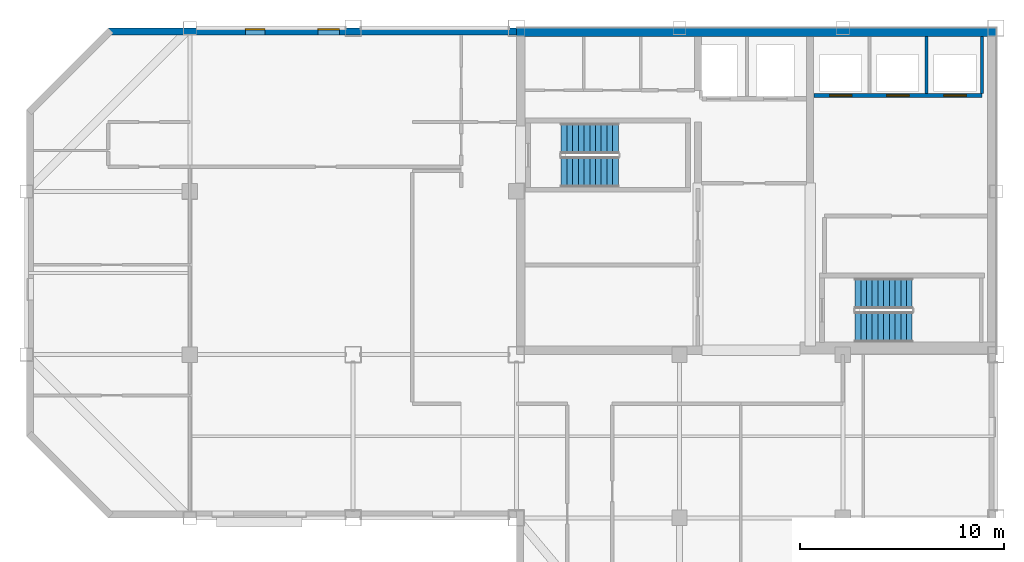
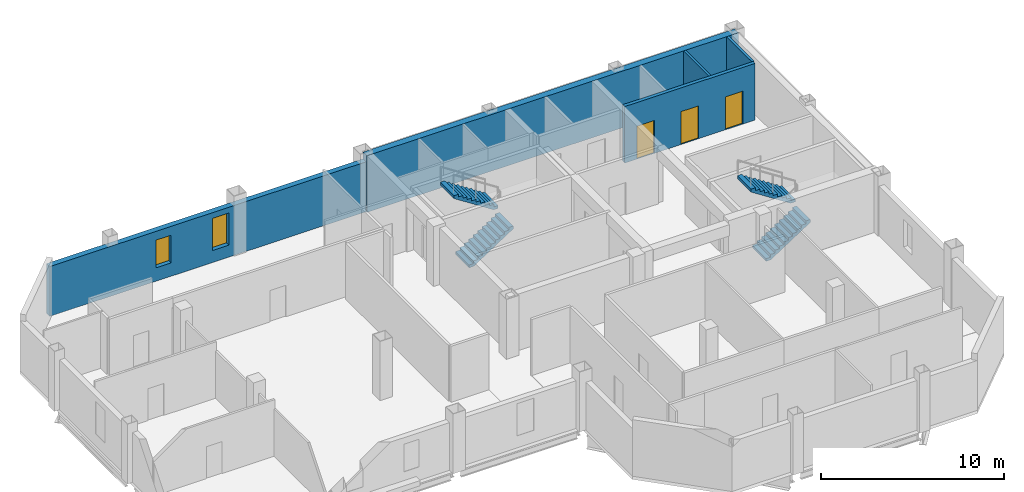
# One storey, part 4 of 7: 5 walls, 4 stair flights, 3 doors, 2 windows, 5 openings, 2 elements without a shape of their own.
"""IFC4 building model written with IfcOpenShell, lengths in metres."""

from ifc_helpers import new_model, si_unit, direction, frame, frame_2d, origin, place, context, subcontext, project, spatial, polyline, rectangle, outline, extrude, material, layer, layer_set, type_object, element, fill, aggregate, save


model = new_model("IFC4")

# Units and contexts
model_context = context("Model", 3, precision=1e-05, world=origin(), true_north=direction((0.0, 1.0)))
body_context = subcontext(model_context, "Body", "Model", "MODEL_VIEW")
ifc_project = project(units=[si_unit("LENGTHUNIT", "METRE"), si_unit("AREAUNIT", "SQUARE_METRE"), si_unit("VOLUMEUNIT", "CUBIC_METRE"), si_unit("PLANEANGLEUNIT", "RADIAN"), si_unit("MASSUNIT", "GRAM", prefix="KILO")], contexts=[model_context])

# Site, building, storey
site_placement = place(None, origin())
site = spatial("IfcSite", under=ifc_project, at=site_placement, CompositionType="ELEMENT")
building_placement = place(site_placement, origin())
building = spatial("IfcBuilding", under=site, at=building_placement, Name="Qianrong Seaharbour Tower", CompositionType="ELEMENT")
storey_placement = place(building_placement, frame((0.0, 0.0, 335.199951171875)))
storey = spatial("IfcBuildingStorey", under=building, at=storey_placement, Name="L81", CompositionType="ELEMENT", Elevation=335.199951171875)

# Wall
ifc_material_1 = material(Name="Concrete C50/60", Category="concrete")
ifc_layer_1 = layer(ifc_material_1, 0.419921875)
ifc_layer_set_1 = layer_set([ifc_layer_1], Name="Concrete C50/60")
wall_type_1 = type_object("IfcWallType", Name="WALL-CORE-420", PredefinedType="SHEAR", material=ifc_layer_set_1)
wall_1_placement = place(storey_placement, frame((40.5, 51.7900390625, 0.0), z_axis=(0.0, 0.0, 1.0), x_axis=(1.0, 0.0, 0.0)))
element("IfcWall", 1, at=wall_1_placement, inside=storey, type_object=wall_type_1, Name="L81 North Core Shear Wall", PredefinedType="SHEAR", context=body_context, shape_type="SweptSolid", body=[
    extrude(rectangle(XDim=23.5, YDim=0.419921875, at=frame_2d((11.75, 0.0))), origin(), (0.0, 0.0, 1.0), 3.78515625),
])

# Wall, openings, windows
ifc_material_2 = material(Name="Unitised buff brick on Precast concrete C45/55", Category="masonry")
ifc_layer_2 = layer(ifc_material_2, 0.340087890625)
ifc_layer_set_2 = layer_set([ifc_layer_2], Name="Unitised buff brick on Precast concrete C45/55")
wall_type_2 = type_object("IfcWallType", Name="WALL-EXT-BRICK-BUFF-340", PredefinedType="SOLIDWALL", material=ifc_layer_set_2)
wall_2_placement = place(storey_placement, frame((20.5, 51.830078125, 0.0), z_axis=(0.0, 0.0, 1.0), x_axis=(1.0, 0.0, 0.0)))
wall_2 = element("IfcWall", 2, at=wall_2_placement, inside=storey, type_object=wall_type_2, Name="L81 Exterior Masonry Facade Wall NORTH_WING", PredefinedType="SOLIDWALL", context=body_context, shape_type="SweptSolid", body=[
    extrude(rectangle(XDim=20.02001953125, YDim=0.340087890625, at=frame_2d((10.010009765625, 0.0))), origin(), (0.0, 0.0, 1.0), 3.3349609375),
])
opening_1_placement = place(wall_2_placement, frame((6.72509765625, 0.0, 0.89990234375)))
opening_1 = element("IfcOpeningElement", 3, at=opening_1_placement, cuts=wall_2, Name="Opening WN-13", PredefinedType="OPENING", context=body_context, shape_type="SweptSolid", body=[
    extrude(rectangle(XDim=0.949951171875, YDim=1.85009765625, at=frame_2d((0.47509765625, 0.925048828125))), frame((0.0, 0.18017578125, 0.0), z_axis=(0.0, -1.0, 0.0), x_axis=(1.0, 0.0, 0.0)), (0.0, 0.0, 1.0), 0.360107421875),
])
opening_2_placement = place(wall_2_placement, frame((10.27490234375, 0.0, 0.800048828125)))
opening_2 = element("IfcOpeningElement", 4, at=opening_2_placement, cuts=wall_2, Name="Opening WN-14", PredefinedType="OPENING", context=body_context, shape_type="SweptSolid", body=[
    extrude(rectangle(XDim=1.050048828125, YDim=2.14990234375, at=frame_2d((0.52490234375, 1.074951171875))), frame((0.0, 0.18017578125, 0.0), z_axis=(0.0, -1.0, 0.0), x_axis=(1.0, 0.0, 0.0)), (0.0, 0.0, 1.0), 0.360107421875),
])
ifc_material_3 = material(Name="Insulated low-e double glazing in thermally broken aluminium 6063-T6 frame", Category="aluminium")
window_type_1 = type_object("IfcWindowType", Name="WIN-NARROW-1050x2150", PartitioningType="SINGLE_PANEL", PredefinedType="WINDOW", material=ifc_material_3)
window_1_placement = place(opening_2_placement, origin())
window_1 = element("IfcWindow", 5, at=window_1_placement, inside=storey, type_object=window_type_1, Name="L81 Deep-Set Punched Window 05.03", OverallHeight=2.14990234375, OverallWidth=1.050048828125, PartitioningType="SINGLE_PANEL", PredefinedType="WINDOW", context=body_context, shape_type="SweptSolid", body=[
    extrude(rectangle(XDim=1.050048828125, YDim=2.14990234375, at=frame_2d((0.52490234375, 1.074951171875))), frame((0.0, 0.150146484375, 0.0), z_axis=(0.0, -1.0, 0.0), x_axis=(1.0, 0.0, 0.0)), (0.0, 0.0, 1.0), 0.06005859375),
])
fill(opening_2, window_1)
window_type_2 = type_object("IfcWindowType", Name="WIN-NARROW-950x1850", PartitioningType="SINGLE_PANEL", PredefinedType="WINDOW", material=ifc_material_3)
window_2_placement = place(opening_1_placement, origin())
window_2 = element("IfcWindow", 6, at=window_2_placement, inside=storey, type_object=window_type_2, Name="L81 Deep-Set Punched Window 05.02", OverallHeight=1.85009765625, OverallWidth=0.949951171875, PartitioningType="SINGLE_PANEL", PredefinedType="WINDOW", context=body_context, shape_type="SweptSolid", body=[
    extrude(rectangle(XDim=0.949951171875, YDim=1.85009765625, at=frame_2d((0.47509765625, 0.925048828125))), frame((0.0, 0.150146484375, 0.0), z_axis=(0.0, -1.0, 0.0), x_axis=(1.0, 0.0, 0.0)), (0.0, 0.0, 1.0), 0.06005859375),
])
fill(opening_1, window_2)

# Walls
ifc_material_4 = material(Name="Fire-rated gypsum board on steel studs", Category="steel")
ifc_layer_3 = layer(ifc_material_4, 0.14990234375)
ifc_layer_set_3 = layer_set([ifc_layer_3], Name="Fire-rated gypsum board on steel studs")
wall_type_3 = type_object("IfcWallType", Name="WALL-SHAFT-DIV-150", PredefinedType="PARTITIONING", material=ifc_layer_set_3)
for number, where, z_axis, x_axis, name in (
    (7, (60.60009765625, 48.81005859375, 0.0), (0.0, 0.0, 1.0), (0.0, 1.0, 0.0), "L81 P4 Lift Hoistway Divider 3"),
    (8, (63.320068359375, 48.81005859375, 0.0), (0.0, 0.0, 1.0), (0.0, 1.0, 0.0), "L81 P4 Lift Hoistway Divider 4"),
):
    element("IfcWall", number, at=place(storey_placement, frame(where, z_axis=z_axis, x_axis=x_axis)), inside=storey, type_object=wall_type_3, Name=name, PredefinedType="PARTITIONING", context=body_context, shape_type="SweptSolid", body=[
        extrude(rectangle(XDim=2.77001953125, YDim=0.14990234375, at=frame_2d((1.385009765625, 0.0))), origin(), (0.0, 0.0, 1.0), 3.78515625),
    ])

# Wall, openings, doors
ifc_layer_4 = layer(ifc_material_4, 0.219970703125)
ifc_layer_set_4 = layer_set([ifc_layer_4], Name="Fire-rated gypsum board on steel studs")
wall_type_4 = type_object("IfcWallType", Name="WALL-SHAFT-GYP220", PredefinedType="PARTITIONING", material=ifc_layer_set_4)
wall_3_placement = place(storey_placement, frame((63.320068359375, 48.699951171875, 0.0), z_axis=(0.0, 0.0, 1.0), x_axis=(-1.0, 0.0, 0.0)))
wall_3 = element("IfcWall", 9, at=wall_3_placement, inside=storey, type_object=wall_type_4, Name="L81 P4 Lift Hoistway Front Wall", PredefinedType="PARTITIONING", context=body_context, shape_type="SweptSolid", body=[
    extrude(rectangle(XDim=8.239990234375, YDim=0.219970703125, at=frame_2d((4.1201171875, 0.0))), origin(), (0.0, 0.0, 1.0), 3.78515625),
])
opening_3_placement = place(wall_3_placement, frame((6.3701171875, 0.0, 0.0)))
opening_3 = element("IfcOpeningElement", 10, at=opening_3_placement, cuts=wall_3, Name="Opening LD-02", PredefinedType="OPENING", context=body_context, shape_type="SweptSolid", body=[
    extrude(rectangle(XDim=1.10009765625, YDim=2.199951171875, at=frame_2d((0.550048828125, 1.10009765625))), frame((0.0, 0.1201171875, 0.0), z_axis=(0.0, -1.0, 0.0), x_axis=(1.0, 0.0, 0.0)), (0.0, 0.0, 1.0), 0.239990234375),
])
opening_4_placement = place(wall_3_placement, frame((3.570068359375, 0.0, 0.0)))
opening_4 = element("IfcOpeningElement", 11, at=opening_4_placement, cuts=wall_3, Name="Opening LD-02", PredefinedType="OPENING", context=body_context, shape_type="SweptSolid", body=[
    extrude(rectangle(XDim=1.10009765625, YDim=2.199951171875, at=frame_2d((0.550048828125, 1.10009765625))), frame((0.0, 0.1201171875, 0.0), z_axis=(0.0, -1.0, 0.0), x_axis=(1.0, 0.0, 0.0)), (0.0, 0.0, 1.0), 0.239990234375),
])
opening_5_placement = place(wall_3_placement, frame((0.77001953125, 0.0, 0.0)))
opening_5 = element("IfcOpeningElement", 12, at=opening_5_placement, cuts=wall_3, Name="Opening LD-02", PredefinedType="OPENING", context=body_context, shape_type="SweptSolid", body=[
    extrude(rectangle(XDim=1.10009765625, YDim=2.199951171875, at=frame_2d((0.550048828125, 1.10009765625))), frame((0.0, 0.1201171875, 0.0), z_axis=(0.0, -1.0, 0.0), x_axis=(1.0, 0.0, 0.0)), (0.0, 0.0, 1.0), 0.239990234375),
])
ifc_material_5 = material(Name="Stainless steel SUS316L bi-parting lift landing door", Category="steel")
door_type = type_object("IfcDoorType", Name="DOOR-LIFT-PASS-1100x2200", OperationType="DOUBLE_DOOR_SLIDING", PredefinedType="DOOR", material=ifc_material_5)
door_1_placement = place(opening_3_placement, origin())
door_1 = element("IfcDoor", 13, at=door_1_placement, inside=storey, type_object=door_type, Name="L81 PL-4A Lift Landing Door", OperationType="DOUBLE_DOOR_SLIDING", OverallHeight=2.199951171875, OverallWidth=1.10009765625, PredefinedType="DOOR", context=body_context, shape_type="SweptSolid", body=[
    extrude(rectangle(XDim=1.10009765625, YDim=2.199951171875, at=frame_2d((0.550048828125, 1.10009765625))), frame((0.0, 0.02490234375, 0.0), z_axis=(0.0, -1.0, 0.0), x_axis=(1.0, 0.0, 0.0)), (0.0, 0.0, 1.0), 0.050048828125),
])
fill(opening_3, door_1)
door_2_placement = place(opening_4_placement, origin())
door_2 = element("IfcDoor", 14, at=door_2_placement, inside=storey, type_object=door_type, Name="L81 PL-4B Lift Landing Door", OperationType="DOUBLE_DOOR_SLIDING", OverallHeight=2.199951171875, OverallWidth=1.10009765625, PredefinedType="DOOR", context=body_context, shape_type="SweptSolid", body=[
    extrude(rectangle(XDim=1.10009765625, YDim=2.199951171875, at=frame_2d((0.550048828125, 1.10009765625))), frame((0.0, 0.02490234375, 0.0), z_axis=(0.0, -1.0, 0.0), x_axis=(1.0, 0.0, 0.0)), (0.0, 0.0, 1.0), 0.050048828125),
])
fill(opening_4, door_2)
door_3_placement = place(opening_5_placement, origin())
door_3 = element("IfcDoor", 15, at=door_3_placement, inside=storey, type_object=door_type, Name="L81 PL-4C Lift Landing Door", OperationType="DOUBLE_DOOR_SLIDING", OverallHeight=2.199951171875, OverallWidth=1.10009765625, PredefinedType="DOOR", context=body_context, shape_type="SweptSolid", body=[
    extrude(rectangle(XDim=1.10009765625, YDim=2.199951171875, at=frame_2d((0.550048828125, 1.10009765625))), frame((0.0, 0.02490234375, 0.0), z_axis=(0.0, -1.0, 0.0), x_axis=(1.0, 0.0, 0.0)), (0.0, 0.0, 1.0), 0.050048828125),
])
fill(opening_5, door_3)

# Stair, stair flights
stair_type = type_object("IfcStairType", Name="STAIR-DOGLEG-1500-R22", PredefinedType="HALF_TURN_STAIR", material=ifc_material_1)
stair_1_placement = place(storey_placement, origin())
stair_1 = element("IfcStair", 16, at=stair_1_placement, inside=storey, type_object=stair_type, Name="L81 Protected Escape Stair ST-1", PredefinedType="HALF_TURN_STAIR")
stair_flight_type = type_object("IfcStairFlightType", Name="FLIGHT-STR-1500-R22", PredefinedType="STRAIGHT", material=ifc_material_1)
stair_flight_1_placement = place(storey_placement, frame((42.699951171875, 44.949951171875, 0.0), z_axis=(0.0, 0.0, 1.0), x_axis=(1.0, 0.0, 0.0)))
stair_flight_1 = element("IfcStairFlight", 17, at=stair_flight_1_placement, type_object=stair_flight_type, Name="ST-1 flight 1", NumberOfRisers=11, NumberOfTreads=10, PredefinedType="STRAIGHT", RiserHeight=0.181818182, TreadLength=0.28, context=body_context, shape_type="SweptSolid", body=[
    extrude(outline(polyline([(0.0, 0.0), (0.0, 0.181884765625), (0.280029296875, 0.181884765625), (0.280029296875, 0.363525390625), (0.56005859375, 0.363525390625), (0.56005859375, 0.54541015625), (0.840087890625, 0.54541015625), (0.840087890625, 0.727294921875), (1.1201171875, 0.727294921875), (1.1201171875, 0.9091796875), (1.39990234375, 0.9091796875), (1.39990234375, 1.0908203125), (1.679931640625, 1.0908203125), (1.679931640625, 1.272705078125), (1.9599609375, 1.272705078125), (1.9599609375, 1.45458984375), (2.239990234375, 1.45458984375), (2.239990234375, 1.636474609375), (2.52001953125, 1.636474609375), (2.52001953125, 1.818115234375), (2.800048828125, 1.818115234375), (2.800048828125, 2.0), (2.800048828125, 1.62744140625), (0.293701171875, 0.0), (0.0, 0.0)])), frame((0.0, 0.75, 0.0), z_axis=(0.0, -1.0, 0.0), x_axis=(1.0, 0.0, 0.0)), (0.0, 0.0, 1.0), 1.5),
])
stair_flight_2_placement = place(storey_placement, frame((45.5, 46.60009765625, 2.0), z_axis=(0.0, 0.0, 1.0), x_axis=(-1.0, 0.0, 0.0)))
stair_flight_2 = element("IfcStairFlight", 18, at=stair_flight_2_placement, type_object=stair_flight_type, Name="ST-1 flight 2", NumberOfRisers=11, NumberOfTreads=10, PredefinedType="STRAIGHT", RiserHeight=0.181818182, TreadLength=0.28, context=body_context, shape_type="SweptSolid", body=[
    extrude(outline(polyline([(0.0, 0.0), (0.0, 0.181884765625), (0.280029296875, 0.181884765625), (0.280029296875, 0.363525390625), (0.56005859375, 0.363525390625), (0.56005859375, 0.54541015625), (0.840087890625, 0.54541015625), (0.840087890625, 0.727294921875), (1.1201171875, 0.727294921875), (1.1201171875, 0.9091796875), (1.39990234375, 0.9091796875), (1.39990234375, 1.0908203125), (1.679931640625, 1.0908203125), (1.679931640625, 1.272705078125), (1.9599609375, 1.272705078125), (1.9599609375, 1.45458984375), (2.239990234375, 1.45458984375), (2.239990234375, 1.636474609375), (2.52001953125, 1.636474609375), (2.52001953125, 1.818115234375), (2.800048828125, 1.818115234375), (2.800048828125, 2.0), (2.800048828125, 1.62744140625), (0.293701171875, 0.0), (0.0, 0.0)])), frame((0.0, 0.75, 0.0), z_axis=(0.0, -1.0, 0.0), x_axis=(1.0, 0.0, 0.0)), (0.0, 0.0, 1.0), 1.5),
])
aggregate(stair_1, [stair_flight_1, stair_flight_2])

stair_2_placement = place(storey_placement, origin())
stair_2 = element("IfcStair", 19, at=stair_2_placement, inside=storey, type_object=stair_type, Name="L81 Protected Escape Stair ST-2", PredefinedType="HALF_TURN_STAIR")
stair_flight_3_placement = place(storey_placement, frame((57.10009765625, 37.35009765625, 0.0), z_axis=(0.0, 0.0, 1.0), x_axis=(1.0, 0.0, 0.0)))
stair_flight_3 = element("IfcStairFlight", 20, at=stair_flight_3_placement, type_object=stair_flight_type, Name="ST-2 flight 1", NumberOfRisers=11, NumberOfTreads=10, PredefinedType="STRAIGHT", RiserHeight=0.181818182, TreadLength=0.28, context=body_context, shape_type="SweptSolid", body=[
    extrude(outline(polyline([(0.0, 0.0), (0.0, 0.181884765625), (0.280029296875, 0.181884765625), (0.280029296875, 0.363525390625), (0.56005859375, 0.363525390625), (0.56005859375, 0.54541015625), (0.840087890625, 0.54541015625), (0.840087890625, 0.727294921875), (1.1201171875, 0.727294921875), (1.1201171875, 0.9091796875), (1.39990234375, 0.9091796875), (1.39990234375, 1.0908203125), (1.679931640625, 1.0908203125), (1.679931640625, 1.272705078125), (1.9599609375, 1.272705078125), (1.9599609375, 1.45458984375), (2.239990234375, 1.45458984375), (2.239990234375, 1.636474609375), (2.52001953125, 1.636474609375), (2.52001953125, 1.818115234375), (2.800048828125, 1.818115234375), (2.800048828125, 2.0), (2.800048828125, 1.62744140625), (0.293701171875, 0.0), (0.0, 0.0)])), frame((0.0, 0.75, 0.0), z_axis=(0.0, -1.0, 0.0), x_axis=(1.0, 0.0, 0.0)), (0.0, 0.0, 1.0), 1.5),
])
stair_flight_4_placement = place(storey_placement, frame((59.89990234375, 39.0, 2.0), z_axis=(0.0, 0.0, 1.0), x_axis=(-1.0, 0.0, 0.0)))
stair_flight_4 = element("IfcStairFlight", 21, at=stair_flight_4_placement, type_object=stair_flight_type, Name="ST-2 flight 2", NumberOfRisers=11, NumberOfTreads=10, PredefinedType="STRAIGHT", RiserHeight=0.181818182, TreadLength=0.28, context=body_context, shape_type="SweptSolid", body=[
    extrude(outline(polyline([(0.0, 0.0), (0.0, 0.181884765625), (0.280029296875, 0.181884765625), (0.280029296875, 0.363525390625), (0.56005859375, 0.363525390625), (0.56005859375, 0.54541015625), (0.840087890625, 0.54541015625), (0.840087890625, 0.727294921875), (1.1201171875, 0.727294921875), (1.1201171875, 0.9091796875), (1.39990234375, 0.9091796875), (1.39990234375, 1.0908203125), (1.679931640625, 1.0908203125), (1.679931640625, 1.272705078125), (1.9599609375, 1.272705078125), (1.9599609375, 1.45458984375), (2.239990234375, 1.45458984375), (2.239990234375, 1.636474609375), (2.52001953125, 1.636474609375), (2.52001953125, 1.818115234375), (2.800048828125, 1.818115234375), (2.800048828125, 2.0), (2.800048828125, 1.62744140625), (0.293701171875, 0.0), (0.0, 0.0)])), frame((0.0, 0.75, 0.0), z_axis=(0.0, -1.0, 0.0), x_axis=(1.0, 0.0, 0.0)), (0.0, 0.0, 1.0), 1.5),
])
aggregate(stair_2, [stair_flight_3, stair_flight_4])

save(model, "model.ifc")
